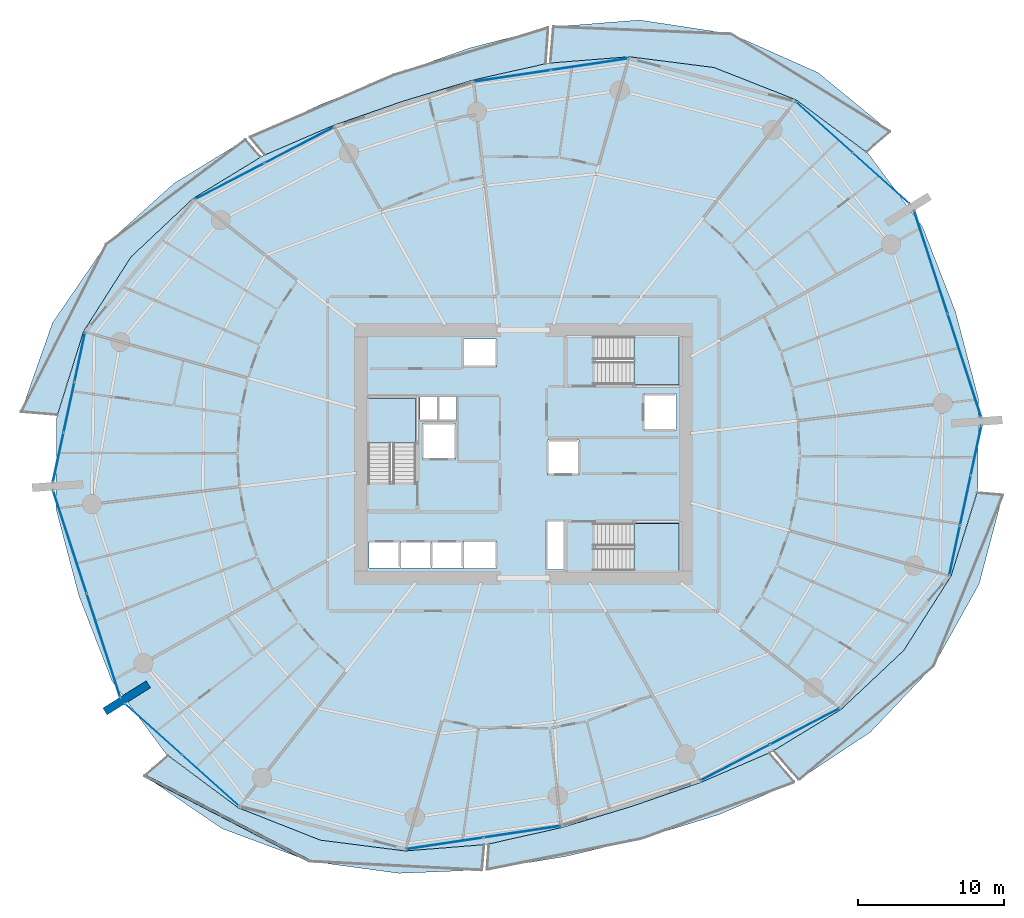
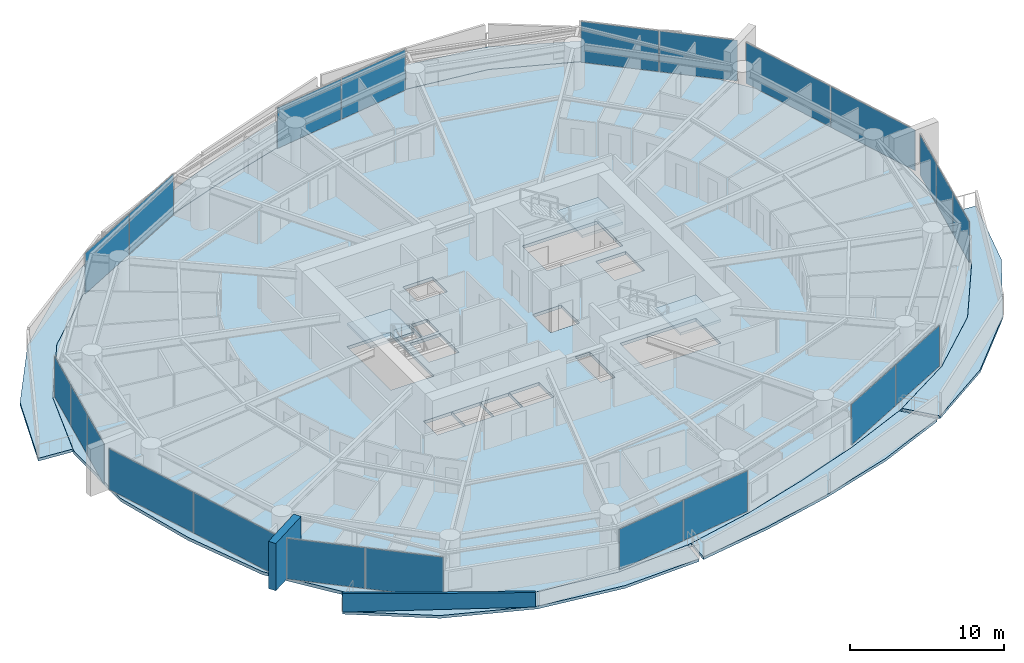
# One storey, part 18 of 31: 22 plates, 10 slabs, 2 walls, 13 elements without a shape of their own.
"""IFC4 building model written with IfcOpenShell, lengths in metres."""

from ifc_helpers import new_model, si_unit, direction, frame, frame_2d, origin, origin_2d, place, context, subcontext, project, spatial, polyline, rectangle, outline, extrude, material, layer, layer_set, type_object, element, aggregate, save


model = new_model("IFC4")

# Units and contexts
model_context = context("Model", 3, precision=1e-05, world=origin(), true_north=direction((0.0, 1.0)))
body_context = subcontext(model_context, "Body", "Model", "MODEL_VIEW")
ifc_project = project(units=[si_unit("LENGTHUNIT", "METRE"), si_unit("AREAUNIT", "SQUARE_METRE"), si_unit("VOLUMEUNIT", "CUBIC_METRE"), si_unit("PLANEANGLEUNIT", "RADIAN"), si_unit("MASSUNIT", "GRAM", prefix="KILO")], contexts=[model_context])

# Site, building, storey
site_placement = place(None, origin())
site = spatial("IfcSite", under=ifc_project, at=site_placement, CompositionType="ELEMENT")
building_placement = place(site_placement, origin())
building = spatial("IfcBuilding", under=site, at=building_placement, Name="Kazma Halo Residences", CompositionType="ELEMENT")
storey_placement = place(building_placement, frame((0.0, 0.0, 67.64990234375)))
storey = spatial("IfcBuildingStorey", under=building, at=storey_placement, Name="L16", CompositionType="ELEMENT", Elevation=67.64990234375)

# Curtain wall, plates
ifc_material_1 = material(Name="Aluminium AW-6063 T6 and Triple-Silver Low-E Glass", Category="aluminium")
ifc_layer_1 = layer(ifc_material_1, 0.159912109375)
ifc_layer_set_1 = layer_set([ifc_layer_1], Name="Aluminium AW-6063 T6 and Triple-Silver Low-E Glass")
curtain_wall_type = type_object("IfcCurtainWallType", Name="CW-SYS-2", PredefinedType="NOTDEFINED", material=ifc_layer_set_1)
curtain_wall_1_placement = place(storey_placement, origin())
curtain_wall_1 = element("IfcCurtainWall", 1, at=curtain_wall_1_placement, inside=storey, type_object=curtain_wall_type, Name="L16 unitised curtain wall B01", PredefinedType="NOTDEFINED")
ifc_material_2 = material(Name="Clear Triple-Silver Low-E Glass IGU", Category="glass")
ifc_layer_2 = layer(ifc_material_2, 0.028076171875)
ifc_layer_set_2 = layer_set([ifc_layer_2], Name="Clear Triple-Silver Low-E Glass IGU")
plate_type = type_object("IfcPlateType", Name="CW-SYS-2-PNL", PredefinedType="CURTAIN_PANEL", material=ifc_layer_set_2)
plate_1_placement = place(storey_placement, frame((72.876953125, 60.841064453125, 0.06005859375), z_axis=(0.0, 0.0, 1.0), x_axis=(-0.744321506993, 0.667821453854, 0.0)))
plate_1 = element("IfcPlate", 2, at=plate_1_placement, type_object=plate_type, Name="CWS-2 panel 1.1", PredefinedType="CURTAIN_PANEL", context=body_context, shape_type="SweptSolid", body=[
    extrude(rectangle(XDim=5.1787109375, YDim=0.028076171875, at=origin_2d()), origin(), (0.0, 0.0, 1.0), 3.22998046875),
])
plate_2_placement = place(storey_placement, frame((68.977783203125, 64.33935546875, 0.06005859375), z_axis=(0.0, 0.0, 1.0), x_axis=(-0.744321506993, 0.667821453854, 0.0)))
plate_2 = element("IfcPlate", 3, at=plate_2_placement, type_object=plate_type, Name="CWS-2 panel 2.1", PredefinedType="CURTAIN_PANEL", context=body_context, shape_type="SweptSolid", body=[
    extrude(rectangle(XDim=5.1787109375, YDim=0.028076171875, at=origin_2d()), origin(), (0.0, 0.0, 1.0), 3.22998046875),
])
aggregate(curtain_wall_1, [plate_1, plate_2])

curtain_wall_2_placement = place(storey_placement, origin())
curtain_wall_2 = element("IfcCurtainWall", 4, at=curtain_wall_2_placement, inside=storey, type_object=curtain_wall_type, Name="L16 unitised curtain wall B03", PredefinedType="NOTDEFINED")
plate_3_placement = place(storey_placement, frame((52.952392578125, 68.64013671875, 0.06005859375), z_axis=(0.0, 0.0, 1.0), x_axis=(-0.988888777994, -0.148657272805, 0.0)))
plate_3 = element("IfcPlate", 5, at=plate_3_placement, type_object=plate_type, Name="CWS-2 panel 1.1", PredefinedType="CURTAIN_PANEL", context=body_context, shape_type="SweptSolid", body=[
    extrude(rectangle(XDim=5.288818359375, YDim=0.028076171875, at=origin_2d()), origin(), (0.0, 0.0, 1.0), 3.22998046875),
])
plate_4_placement = place(storey_placement, frame((47.662841796875, 67.844970703125, 0.06005859375), z_axis=(0.0, 0.0, 1.0), x_axis=(-0.988888777994, -0.148657272805, 0.0)))
plate_4 = element("IfcPlate", 6, at=plate_4_placement, type_object=plate_type, Name="CWS-2 panel 2.1", PredefinedType="CURTAIN_PANEL", context=body_context, shape_type="SweptSolid", body=[
    extrude(rectangle(XDim=5.288818359375, YDim=0.028076171875, at=origin_2d()), origin(), (0.0, 0.0, 1.0), 3.22998046875),
])
aggregate(curtain_wall_2, [plate_3, plate_4])

curtain_wall_3_placement = place(storey_placement, origin())
curtain_wall_3 = element("IfcCurtainWall", 7, at=curtain_wall_3_placement, inside=storey, type_object=curtain_wall_type, Name="L16 unitised curtain wall B05", PredefinedType="NOTDEFINED")
plate_5_placement = place(storey_placement, frame((33.081298828125, 63.107177734375, 0.06005859375), z_axis=(0.0, 0.0, 1.0), x_axis=(-0.887402258584, -0.460995912628, 0.0)))
plate_5 = element("IfcPlate", 8, at=plate_5_placement, type_object=plate_type, Name="CWS-2 panel 1.1", PredefinedType="CURTAIN_PANEL", context=body_context, shape_type="SweptSolid", body=[
    extrude(rectangle(XDim=5.288818359375, YDim=0.028076171875, at=origin_2d()), origin(), (0.0, 0.0, 1.0), 3.22998046875),
])
plate_6_placement = place(storey_placement, frame((28.334716796875, 60.641357421875, 0.06005859375), z_axis=(0.0, 0.0, 1.0), x_axis=(-0.887402258584, -0.460995912628, 0.0)))
plate_6 = element("IfcPlate", 9, at=plate_6_placement, type_object=plate_type, Name="CWS-2 panel 2.1", PredefinedType="CURTAIN_PANEL", context=body_context, shape_type="SweptSolid", body=[
    extrude(rectangle(XDim=5.288818359375, YDim=0.028076171875, at=origin_2d()), origin(), (0.0, 0.0, 1.0), 3.22998046875),
])
aggregate(curtain_wall_3, [plate_5, plate_6])

curtain_wall_4_placement = place(storey_placement, origin())
curtain_wall_4 = element("IfcCurtainWall", 10, at=curtain_wall_4_placement, inside=storey, type_object=curtain_wall_type, Name="L16 unitised curtain wall B07", PredefinedType="NOTDEFINED")
plate_7_placement = place(storey_placement, frame((18.08203125, 48.60107421875, 0.06005859375), z_axis=(0.0, 0.0, 1.0), x_axis=(-0.209637321406, -0.977779215096, 0.0)))
plate_7 = element("IfcPlate", 11, at=plate_7_placement, type_object=plate_type, Name="CWS-2 panel 1.1", PredefinedType="CURTAIN_PANEL", context=body_context, shape_type="SweptSolid", body=[
    extrude(rectangle(XDim=3.42236328125, YDim=0.028076171875, at=origin_2d()), origin(), (0.0, 0.0, 1.0), 3.22998046875),
])
plate_8_placement = place(storey_placement, frame((17.348876953125, 45.181396484375, 0.06005859375), z_axis=(0.0, 0.0, 1.0), x_axis=(-0.209637321406, -0.977779215096, 0.0)))
plate_8 = element("IfcPlate", 12, at=plate_8_placement, type_object=plate_type, Name="CWS-2 panel 2.1", PredefinedType="CURTAIN_PANEL", context=body_context, shape_type="SweptSolid", body=[
    extrude(rectangle(XDim=3.452392578125, YDim=0.028076171875, at=origin_2d()), origin(), (0.0, 0.0, 1.0), 3.22998046875),
])
plate_9_placement = place(storey_placement, frame((16.61572265625, 41.76171875, 0.06005859375), z_axis=(0.0, 0.0, 1.0), x_axis=(-0.209637321406, -0.977779215096, 0.0)))
plate_9 = element("IfcPlate", 13, at=plate_9_placement, type_object=plate_type, Name="CWS-2 panel 3.1", PredefinedType="CURTAIN_PANEL", context=body_context, shape_type="SweptSolid", body=[
    extrude(rectangle(XDim=3.42236328125, YDim=0.028076171875, at=origin_2d()), origin(), (0.0, 0.0, 1.0), 3.22998046875),
])
aggregate(curtain_wall_4, [plate_7, plate_8, plate_9])

curtain_wall_5_placement = place(storey_placement, origin())
curtain_wall_5 = element("IfcCurtainWall", 14, at=curtain_wall_5_placement, inside=storey, type_object=curtain_wall_type, Name="L16 unitised curtain wall B08", PredefinedType="NOTDEFINED")
plate_10_placement = place(storey_placement, frame((17.409912109375, 35.96728515625, 0.06005859375), z_axis=(0.0, 0.0, 1.0), x_axis=(0.309016970539, -0.95105652404, 0.0)))
plate_10 = element("IfcPlate", 15, at=plate_10_placement, type_object=plate_type, Name="CWS-2 panel 1.1", PredefinedType="CURTAIN_PANEL", context=body_context, shape_type="SweptSolid", body=[
    extrude(rectangle(XDim=7.370849609375, YDim=0.028076171875, at=origin_2d()), origin(), (0.0, 0.0, 1.0), 3.22998046875),
])
plate_11_placement = place(storey_placement, frame((19.7060546875, 28.900146484375, 0.06005859375), z_axis=(0.0, 0.0, 1.0), x_axis=(0.309016970539, -0.95105652404, 0.0)))
plate_11 = element("IfcPlate", 16, at=plate_11_placement, type_object=plate_type, Name="CWS-2 panel 2.1", PredefinedType="CURTAIN_PANEL", context=body_context, shape_type="SweptSolid", body=[
    extrude(rectangle(XDim=7.370849609375, YDim=0.028076171875, at=origin_2d()), origin(), (0.0, 0.0, 1.0), 3.22998046875),
])
aggregate(curtain_wall_5, [plate_10, plate_11])

curtain_wall_6_placement = place(storey_placement, origin())
curtain_wall_6 = element("IfcCurtainWall", 17, at=curtain_wall_6_placement, inside=storey, type_object=curtain_wall_type, Name="L16 unitised curtain wall B09", PredefinedType="NOTDEFINED")
plate_12_placement = place(storey_placement, frame((23.123046875, 23.158935546875, 0.06005859375), z_axis=(0.0, 0.0, 1.0), x_axis=(0.744321506993, -0.667821453854, 0.0)))
plate_12 = element("IfcPlate", 18, at=plate_12_placement, type_object=plate_type, Name="CWS-2 panel 1.1", PredefinedType="CURTAIN_PANEL", context=body_context, shape_type="SweptSolid", body=[
    extrude(rectangle(XDim=5.1787109375, YDim=0.028076171875, at=origin_2d()), origin(), (0.0, 0.0, 1.0), 3.22998046875),
])
plate_13_placement = place(storey_placement, frame((27.022216796875, 19.66064453125, 0.06005859375), z_axis=(0.0, 0.0, 1.0), x_axis=(0.744321506993, -0.667821453854, 0.0)))
plate_13 = element("IfcPlate", 19, at=plate_13_placement, type_object=plate_type, Name="CWS-2 panel 2.1", PredefinedType="CURTAIN_PANEL", context=body_context, shape_type="SweptSolid", body=[
    extrude(rectangle(XDim=5.1787109375, YDim=0.028076171875, at=origin_2d()), origin(), (0.0, 0.0, 1.0), 3.22998046875),
])
aggregate(curtain_wall_6, [plate_12, plate_13])

curtain_wall_7_placement = place(storey_placement, origin())
curtain_wall_7 = element("IfcCurtainWall", 20, at=curtain_wall_7_placement, inside=storey, type_object=curtain_wall_type, Name="L16 unitised curtain wall B11", PredefinedType="NOTDEFINED")
plate_14_placement = place(storey_placement, frame((43.047607421875, 15.35986328125, 0.06005859375), z_axis=(0.0, 0.0, 1.0), x_axis=(0.988888777994, 0.148657272805, 0.0)))
plate_14 = element("IfcPlate", 21, at=plate_14_placement, type_object=plate_type, Name="CWS-2 panel 1.1", PredefinedType="CURTAIN_PANEL", context=body_context, shape_type="SweptSolid", body=[
    extrude(rectangle(XDim=5.288818359375, YDim=0.028076171875, at=origin_2d()), origin(), (0.0, 0.0, 1.0), 3.22998046875),
])
plate_15_placement = place(storey_placement, frame((48.337158203125, 16.155029296875, 0.06005859375), z_axis=(0.0, 0.0, 1.0), x_axis=(0.988888777994, 0.148657272805, 0.0)))
plate_15 = element("IfcPlate", 22, at=plate_15_placement, type_object=plate_type, Name="CWS-2 panel 2.1", PredefinedType="CURTAIN_PANEL", context=body_context, shape_type="SweptSolid", body=[
    extrude(rectangle(XDim=5.288818359375, YDim=0.028076171875, at=origin_2d()), origin(), (0.0, 0.0, 1.0), 3.22998046875),
])
aggregate(curtain_wall_7, [plate_14, plate_15])

curtain_wall_8_placement = place(storey_placement, origin())
curtain_wall_8 = element("IfcCurtainWall", 23, at=curtain_wall_8_placement, inside=storey, type_object=curtain_wall_type, Name="L16 unitised curtain wall B13", PredefinedType="NOTDEFINED")
plate_16_placement = place(storey_placement, frame((62.918701171875, 20.892822265625, 0.06005859375), z_axis=(0.0, 0.0, 1.0), x_axis=(0.887402258584, 0.460995912628, 0.0)))
plate_16 = element("IfcPlate", 24, at=plate_16_placement, type_object=plate_type, Name="CWS-2 panel 1.1", PredefinedType="CURTAIN_PANEL", context=body_context, shape_type="SweptSolid", body=[
    extrude(rectangle(XDim=5.288818359375, YDim=0.028076171875, at=origin_2d()), origin(), (0.0, 0.0, 1.0), 3.22998046875),
])
plate_17_placement = place(storey_placement, frame((67.665283203125, 23.358642578125, 0.06005859375), z_axis=(0.0, 0.0, 1.0), x_axis=(0.887402258584, 0.460995912628, 0.0)))
plate_17 = element("IfcPlate", 25, at=plate_17_placement, type_object=plate_type, Name="CWS-2 panel 2.1", PredefinedType="CURTAIN_PANEL", context=body_context, shape_type="SweptSolid", body=[
    extrude(rectangle(XDim=5.288818359375, YDim=0.028076171875, at=origin_2d()), origin(), (0.0, 0.0, 1.0), 3.22998046875),
])
aggregate(curtain_wall_8, [plate_16, plate_17])

curtain_wall_9_placement = place(storey_placement, origin())
curtain_wall_9 = element("IfcCurtainWall", 26, at=curtain_wall_9_placement, inside=storey, type_object=curtain_wall_type, Name="L16 unitised curtain wall B15", PredefinedType="NOTDEFINED")
plate_18_placement = place(storey_placement, frame((77.91796875, 35.39892578125, 0.06005859375), z_axis=(0.0, 0.0, 1.0), x_axis=(0.209637321406, 0.977779215096, 0.0)))
plate_18 = element("IfcPlate", 27, at=plate_18_placement, type_object=plate_type, Name="CWS-2 panel 1.1", PredefinedType="CURTAIN_PANEL", context=body_context, shape_type="SweptSolid", body=[
    extrude(rectangle(XDim=3.42236328125, YDim=0.028076171875, at=origin_2d()), origin(), (0.0, 0.0, 1.0), 3.22998046875),
])
plate_19_placement = place(storey_placement, frame((78.651123046875, 38.818603515625, 0.06005859375), z_axis=(0.0, 0.0, 1.0), x_axis=(0.209637321406, 0.977779215096, 0.0)))
plate_19 = element("IfcPlate", 28, at=plate_19_placement, type_object=plate_type, Name="CWS-2 panel 2.1", PredefinedType="CURTAIN_PANEL", context=body_context, shape_type="SweptSolid", body=[
    extrude(rectangle(XDim=3.452392578125, YDim=0.028076171875, at=origin_2d()), origin(), (0.0, 0.0, 1.0), 3.22998046875),
])
plate_20_placement = place(storey_placement, frame((79.38427734375, 42.23828125, 0.06005859375), z_axis=(0.0, 0.0, 1.0), x_axis=(0.209637321406, 0.977779215096, 0.0)))
plate_20 = element("IfcPlate", 29, at=plate_20_placement, type_object=plate_type, Name="CWS-2 panel 3.1", PredefinedType="CURTAIN_PANEL", context=body_context, shape_type="SweptSolid", body=[
    extrude(rectangle(XDim=3.42236328125, YDim=0.028076171875, at=origin_2d()), origin(), (0.0, 0.0, 1.0), 3.22998046875),
])
aggregate(curtain_wall_9, [plate_18, plate_19, plate_20])

curtain_wall_10_placement = place(storey_placement, origin())
curtain_wall_10 = element("IfcCurtainWall", 30, at=curtain_wall_10_placement, inside=storey, type_object=curtain_wall_type, Name="L16 unitised curtain wall B16", PredefinedType="NOTDEFINED")
plate_21_placement = place(storey_placement, frame((78.590087890625, 48.03271484375, 0.06005859375), z_axis=(0.0, 0.0, 1.0), x_axis=(-0.309016970539, 0.95105652404, 0.0)))
plate_21 = element("IfcPlate", 31, at=plate_21_placement, type_object=plate_type, Name="CWS-2 panel 1.1", PredefinedType="CURTAIN_PANEL", context=body_context, shape_type="SweptSolid", body=[
    extrude(rectangle(XDim=7.370849609375, YDim=0.028076171875, at=origin_2d()), origin(), (0.0, 0.0, 1.0), 3.22998046875),
])
plate_22_placement = place(storey_placement, frame((76.2939453125, 55.099853515625, 0.06005859375), z_axis=(0.0, 0.0, 1.0), x_axis=(-0.309016970539, 0.95105652404, 0.0)))
plate_22 = element("IfcPlate", 32, at=plate_22_placement, type_object=plate_type, Name="CWS-2 panel 2.1", PredefinedType="CURTAIN_PANEL", context=body_context, shape_type="SweptSolid", body=[
    extrude(rectangle(XDim=7.370849609375, YDim=0.028076171875, at=origin_2d()), origin(), (0.0, 0.0, 1.0), 3.22998046875),
])
aggregate(curtain_wall_10, [plate_21, plate_22])

# Slabs
ifc_material_3 = material(Name="White Concrete C50/60", Category="concrete")
ifc_layer_3 = layer(ifc_material_3, 0.219970703125)
ifc_layer_set_3 = layer_set([ifc_layer_3], Name="White Concrete C50/60")
slab_type_1 = type_object("IfcSlabType", Name="SLB-BAL-WAVE-210", PredefinedType="FLOOR", material=ifc_layer_set_3)
slab_1_placement = place(storey_placement, frame((0.0, 0.0, -0.219970703125)))
element("IfcSlab", 33, at=slab_1_placement, inside=storey, type_object=slab_type_1, Name="L16 NE cantilevered wave balcony slab", PredefinedType="FLOOR", context=body_context, shape_type="SweptSolid", body=[
    extrude(outline(polyline([(71.875732421875, 62.645263671875), (67.081298828125, 66.20458984375), (61.461669921875, 68.420166015625), (55.659912109375, 69.15966796875), (50.26806640625, 68.729736328125), (50.47802734375, 71.205810546875), (56.36767578125, 71.669677734375), (62.63232421875, 70.717529296875), (68.55908203125, 68.0791015625), (73.48779296875, 64.039306640625), (71.875732421875, 62.645263671875)])), origin(), (0.0, 0.0, 1.0), 0.219970703125),
])
slab_2_placement = place(storey_placement, frame((0.0, 0.0, -0.219970703125)))
element("IfcSlab", 34, at=slab_2_placement, inside=storey, type_object=slab_type_1, Name="L16 NNW cantilevered wave balcony slab", PredefinedType="FLOOR", context=body_context, shape_type="SweptSolid", body=[
    extrude(outline(polyline([(49.935791015625, 68.679931640625), (44.974365234375, 67.564208984375), (40.165771484375, 66.111083984375), (35.421630859375, 64.460205078125), (30.751708984375, 62.44677734375), (29.7294921875, 63.65869140625), (34.607666015625, 65.91357421875), (39.5791015625, 67.917236328125), (44.7158203125, 69.748291015625), (50.1142578125, 71.139892578125), (49.935791015625, 68.679931640625)])), origin(), (0.0, 0.0, 1.0), 0.219970703125),
])
slab_3_placement = place(storey_placement, frame((0.0, 0.0, -0.219970703125)))
element("IfcSlab", 35, at=slab_3_placement, inside=storey, type_object=slab_type_1, Name="L16 NW cantilevered wave balcony slab", PredefinedType="FLOOR", context=body_context, shape_type="SweptSolid", body=[
    extrude(outline(polyline([(30.453857421875, 62.29150390625), (25.839111328125, 59.47021484375), (21.579833984375, 55.461669921875), (18.3359375, 50.3662109375), (16.54931640625, 44.668701171875), (14.075439453125, 44.87841796875), (16.218994140625, 50.963134765625), (19.8876953125, 56.323974609375), (24.531005859375, 60.50146484375), (29.413330078125, 63.494873046875), (30.453857421875, 62.29150390625)])), origin(), (0.0, 0.0, 1.0), 0.219970703125),
])
slab_4_placement = place(storey_placement, frame((0.0, 0.0, -0.219970703125)))
element("IfcSlab", 36, at=slab_4_placement, inside=storey, type_object=slab_type_1, Name="L16 SW cantilevered wave balcony slab", PredefinedType="FLOOR", context=body_context, shape_type="SweptSolid", body=[
    extrude(outline(polyline([(24.124267578125, 21.354736328125), (28.918701171875, 17.79541015625), (34.538330078125, 15.579833984375), (40.340087890625, 14.84033203125), (45.73193359375, 15.270263671875), (45.585205078125, 13.540283203125), (39.9091796875, 13.31201171875), (33.803955078125, 14.138671875), (27.798583984375, 16.374755859375), (22.526611328125, 19.97314453125), (24.124267578125, 21.354736328125)])), origin(), (0.0, 0.0, 1.0), 0.219970703125),
])
slab_5_placement = place(storey_placement, frame((0.0, 0.0, -0.219970703125)))
element("IfcSlab", 37, at=slab_5_placement, inside=storey, type_object=slab_type_1, Name="L16 SSE cantilevered wave balcony slab", PredefinedType="FLOOR", context=body_context, shape_type="SweptSolid", body=[
    extrude(outline(polyline([(46.064208984375, 15.320068359375), (51.025634765625, 16.435791015625), (55.834228515625, 17.888916015625), (60.578369140625, 19.539794921875), (65.248291015625, 21.55322265625), (66.941162109375, 19.54638671875), (61.814697265625, 17.331787109375), (56.5439453125, 15.7041015625), (51.260498046875, 14.453125), (45.93798828125, 13.580078125), (46.064208984375, 15.320068359375)])), origin(), (0.0, 0.0, 1.0), 0.219970703125),
])
slab_6_placement = place(storey_placement, frame((0.0, 0.0, -0.219970703125)))
element("IfcSlab", 38, at=slab_6_placement, inside=storey, type_object=slab_type_1, Name="L16 SE cantilevered wave balcony slab", PredefinedType="FLOOR", context=body_context, shape_type="SweptSolid", body=[
    extrude(outline(polyline([(65.546142578125, 21.70849609375), (70.160888671875, 24.52978515625), (74.420166015625, 28.538330078125), (77.6640625, 33.6337890625), (79.45068359375, 39.331298828125), (81.205322265625, 39.1826171875), (79.585693359375, 33.091796875), (76.466796875, 27.49560546875), (72.148193359375, 22.963134765625), (67.266845703125, 19.718505859375), (65.546142578125, 21.70849609375)])), origin(), (0.0, 0.0, 1.0), 0.219970703125),
])
ifc_material_4 = material(Name="Concrete C50/60", Category="concrete")
ifc_layer_4 = layer(ifc_material_4, 0.25)
ifc_layer_set_4 = layer_set([ifc_layer_4], Name="Concrete C50/60")
slab_type_2 = type_object("IfcSlabType", Name="SLB-RES-250", PredefinedType="FLOOR", material=ifc_layer_set_4)
slab_7_placement = place(storey_placement, frame((0.0, 0.0, -0.25)))
element("IfcSlab", 39, at=slab_7_placement, inside=storey, type_object=slab_type_2, Name="L16 structural floor slab", PredefinedType="FLOOR", context=body_context, shape_type="SweptSolid", body=[
    extrude(outline(polyline([(77.9677734375, 51.737060546875), (75.719970703125, 57.52392578125), (72.02099609375, 62.51611328125), (67.080078125, 66.202880859375), (61.460693359375, 68.418212890625), (55.6591796875, 69.15771484375), (50.102294921875, 68.713134765625), (44.974609375, 67.562255859375), (40.16650390625, 66.109375), (35.422607421875, 64.45849609375), (30.597412109375, 62.375732421875), (25.8408203125, 59.468994140625), (21.581787109375, 55.460693359375), (18.337890625, 50.365478515625), (16.507568359375, 44.478515625), (16.449462890625, 38.265625), (18.0322265625, 32.262939453125), (20.280029296875, 26.47607421875), (23.97900390625, 21.48388671875), (28.919921875, 17.797119140625), (34.539306640625, 15.581787109375), (40.3408203125, 14.84228515625), (45.897705078125, 15.286865234375), (51.025390625, 16.437744140625), (55.83349609375, 17.890625), (60.577392578125, 19.54150390625), (65.402587890625, 21.624267578125), (70.1591796875, 24.531005859375), (74.418212890625, 28.539306640625), (77.662109375, 33.634521484375), (79.492431640625, 39.521484375), (79.550537109375, 45.734375), (77.9677734375, 51.737060546875)]), holes=[polyline([(37.800048828125, 40.110107421875), (41.050048828125, 40.110107421875), (41.050048828125, 45.800048828125), (37.800048828125, 45.800048828125), (37.800048828125, 40.110107421875)]), polyline([(53.360107421875, 46.75), (59.050048828125, 46.75), (59.050048828125, 50.0), (53.360107421875, 50.0), (53.360107421875, 46.75)]), polyline([(53.360107421875, 34.0), (59.050048828125, 34.0), (59.050048828125, 37.25), (53.360107421875, 37.25), (53.360107421875, 34.0)]), polyline([(41.52001953125, 41.6201171875), (43.780029296875, 41.6201171875), (43.780029296875, 44.080078125), (41.52001953125, 44.080078125), (41.52001953125, 41.6201171875)]), polyline([(56.6201171875, 43.6201171875), (58.8798828125, 43.6201171875), (58.8798828125, 46.080078125), (56.6201171875, 46.080078125), (56.6201171875, 43.6201171875)]), polyline([(37.864990234375, 34.195068359375), (39.97509765625, 34.195068359375), (39.97509765625, 36.0048828125), (37.864990234375, 36.0048828125), (37.864990234375, 34.195068359375)]), polyline([(40.014892578125, 34.195068359375), (42.125, 34.195068359375), (42.125, 36.0048828125), (40.014892578125, 36.0048828125), (40.014892578125, 34.195068359375)]), polyline([(42.1650390625, 34.195068359375), (44.27490234375, 34.195068359375), (44.27490234375, 36.0048828125), (42.1650390625, 36.0048828125), (42.1650390625, 34.195068359375)]), polyline([(44.320068359375, 47.945068359375), (46.580078125, 47.945068359375), (46.580078125, 49.85498046875), (44.320068359375, 49.85498046875), (44.320068359375, 47.945068359375)]), polyline([(44.320068359375, 34.14501953125), (46.580078125, 34.14501953125), (46.580078125, 36.054931640625), (44.320068359375, 36.054931640625), (44.320068359375, 34.14501953125)]), polyline([(50.070068359375, 40.570068359375), (52.22998046875, 40.570068359375), (52.22998046875, 42.929931640625), (50.070068359375, 42.929931640625), (50.070068359375, 40.570068359375)]), polyline([(41.360107421875, 44.340087890625), (42.5400390625, 44.340087890625), (42.5400390625, 45.89990234375), (41.360107421875, 45.89990234375), (41.360107421875, 44.340087890625)]), polyline([(42.659912109375, 44.340087890625), (43.840087890625, 44.340087890625), (43.840087890625, 45.89990234375), (42.659912109375, 45.89990234375), (42.659912109375, 44.340087890625)]), polyline([(50.06005859375, 34.080078125), (51.159912109375, 34.080078125), (51.159912109375, 37.3798828125), (50.06005859375, 37.3798828125), (50.06005859375, 34.080078125)])]), origin(), (0.0, 0.0, 1.0), 0.25),
])

# Stair, slab
stair_type = type_object("IfcStairType", Name="STR-RES1", PredefinedType="HALF_TURN_STAIR", material=ifc_material_4)
stair_1_placement = place(storey_placement, origin())
stair_1 = element("IfcStair", 40, at=stair_1_placement, inside=storey, type_object=stair_type, Name="L16 Core exit stair ST-01", PredefinedType="HALF_TURN_STAIR")
ifc_layer_5 = layer(ifc_material_4, 0.199951171875)
ifc_layer_set_5 = layer_set([ifc_layer_5], Name="Concrete C50/60")
slab_type_3 = type_object("IfcSlabType", Name="SLB-STAIR-LND-200", PredefinedType="LANDING", material=ifc_layer_set_5)
slab_8_placement = place(storey_placement, frame((0.0, 0.0, 1.675048828125)))
slab_8 = element("IfcSlab", 41, at=slab_8_placement, type_object=slab_type_3, Name="ST-01 landing 1", PredefinedType="LANDING", context=body_context, shape_type="SweptSolid", body=[
    extrude(outline(polyline([(41.050048828125, 42.75), (41.050048828125, 45.800048828125), (37.800048828125, 45.800048828125), (37.800048828125, 42.75), (41.050048828125, 42.75)])), origin(), (0.0, 0.0, 1.0), 0.199951171875),
])
aggregate(stair_1, [slab_8])

stair_2_placement = place(storey_placement, origin())
stair_2 = element("IfcStair", 42, at=stair_2_placement, inside=storey, type_object=stair_type, Name="L16 Core exit stair ST-02", PredefinedType="HALF_TURN_STAIR")
slab_9_placement = place(storey_placement, frame((0.0, 0.0, 1.675048828125)))
slab_9 = element("IfcSlab", 43, at=slab_9_placement, type_object=slab_type_3, Name="ST-02 landing 1", PredefinedType="LANDING", context=body_context, shape_type="SweptSolid", body=[
    extrude(outline(polyline([(56.0, 46.75), (59.050048828125, 46.75), (59.050048828125, 50.0), (56.0, 50.0), (56.0, 46.75)])), origin(), (0.0, 0.0, 1.0), 0.199951171875),
])
aggregate(stair_2, [slab_9])

stair_3_placement = place(storey_placement, origin())
stair_3 = element("IfcStair", 44, at=stair_3_placement, inside=storey, type_object=stair_type, Name="L16 Core exit stair ST-03", PredefinedType="HALF_TURN_STAIR")
slab_10_placement = place(storey_placement, frame((0.0, 0.0, 1.675048828125)))
slab_10 = element("IfcSlab", 45, at=slab_10_placement, type_object=slab_type_3, Name="ST-03 landing 1", PredefinedType="LANDING", context=body_context, shape_type="SweptSolid", body=[
    extrude(outline(polyline([(56.0, 34.0), (59.050048828125, 34.0), (59.050048828125, 37.25), (56.0, 37.25), (56.0, 34.0)])), origin(), (0.0, 0.0, 1.0), 0.199951171875),
])
aggregate(stair_3, [slab_10])

# Walls
ifc_material_5 = material(Name="White Concrete C50/60 Balustrade", Category="concrete")
ifc_layer_6 = layer(ifc_material_5, 0.179931640625)
ifc_layer_set_6 = layer_set([ifc_layer_6], Name="White Concrete C50/60 Balustrade")
wall_type_1 = type_object("IfcWallType", Name="WL-BAL-WAVE-180", PredefinedType="PARAPET", material=ifc_layer_set_6)
wall_1_placement = place(storey_placement, frame((22.526611328125, 19.97314453125, 0.0), z_axis=(0.0, 0.0, 1.0), x_axis=(0.888165194013, -0.459524306368, 0.0)))
element("IfcWall", 46, at=wall_1_placement, inside=storey, type_object=wall_type_1, Name="L16 white wave balustrade wall SW.1", PredefinedType="PARAPET", context=body_context, shape_type="SweptSolid", body=[
    extrude(outline(polyline([(0.0, 0.0), (12.5771484375, 0.0), (12.5771484375, 1.148193359375), (6.28857421875, 1.2841796875), (0.0, 1.483154296875), (0.0, 0.0)])), frame((0.0, 0.08984375, 0.0), z_axis=(0.0, -1.0, 0.0), x_axis=(1.0, 0.0, 0.0)), (0.0, 0.0, 1.0), 0.179931640625),
])
ifc_material_6 = material(Name="Pale Concrete C60/75", Category="concrete")
ifc_layer_7 = layer(ifc_material_6, 0.550048828125)
ifc_layer_set_7 = layer_set([ifc_layer_7], Name="Pale Concrete C60/75")
wall_type_2 = type_object("IfcWallType", Name="WL-BLADE-550", PredefinedType="SOLIDWALL", material=ifc_layer_set_7)
wall_2_placement = place(storey_placement, frame((22.770263671875, 26.234619140625, 0.0), z_axis=(0.0, 0.0, 1.0), x_axis=(-0.848053161125, -0.529911158502, 0.0)))
element("IfcWall", 47, at=wall_2_placement, inside=storey, type_object=wall_type_2, Name="L16 pale concrete structural blade fin wall BW-03", PredefinedType="SOLIDWALL", context=body_context, shape_type="SweptSolid", body=[
    extrude(rectangle(XDim=3.5, YDim=0.550048828125, at=frame_2d((1.75, 0.0))), origin(), (0.0, 0.0, 1.0), 3.75),
])

save(model, "model.ifc")
